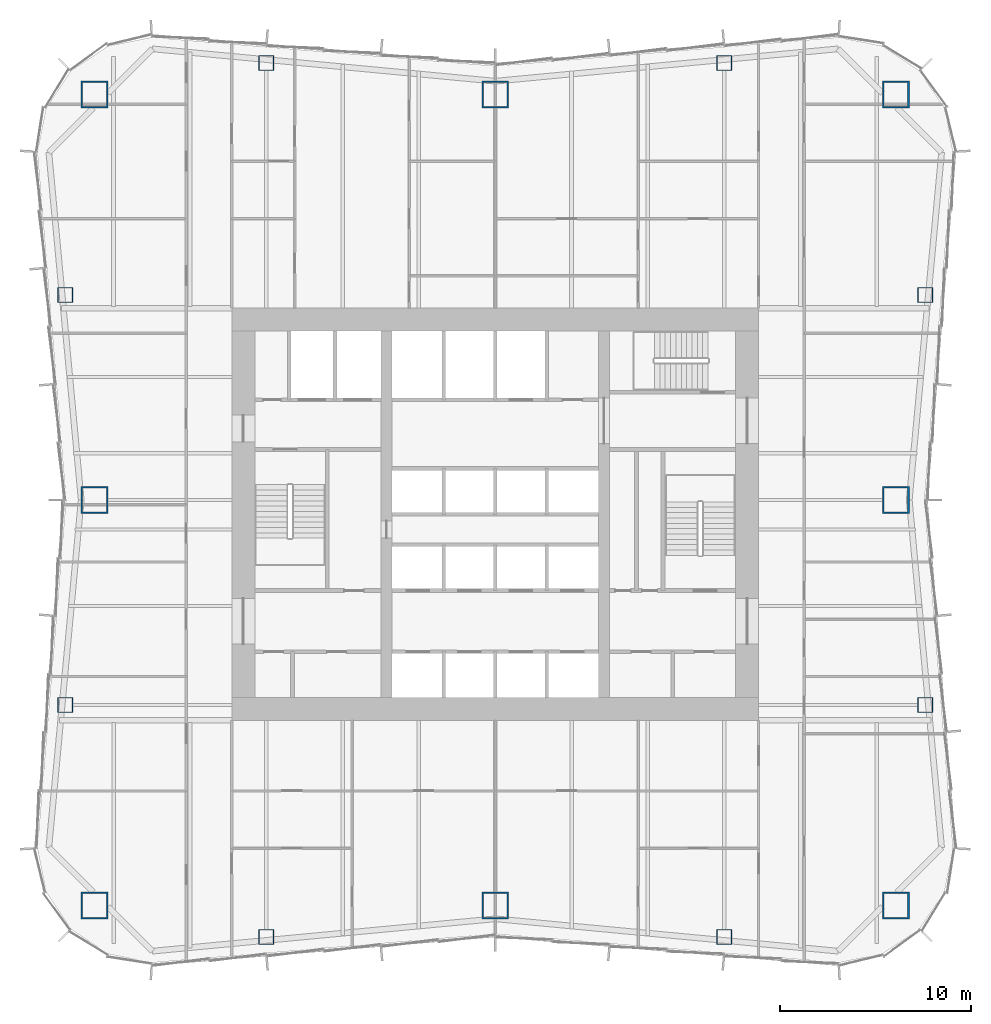
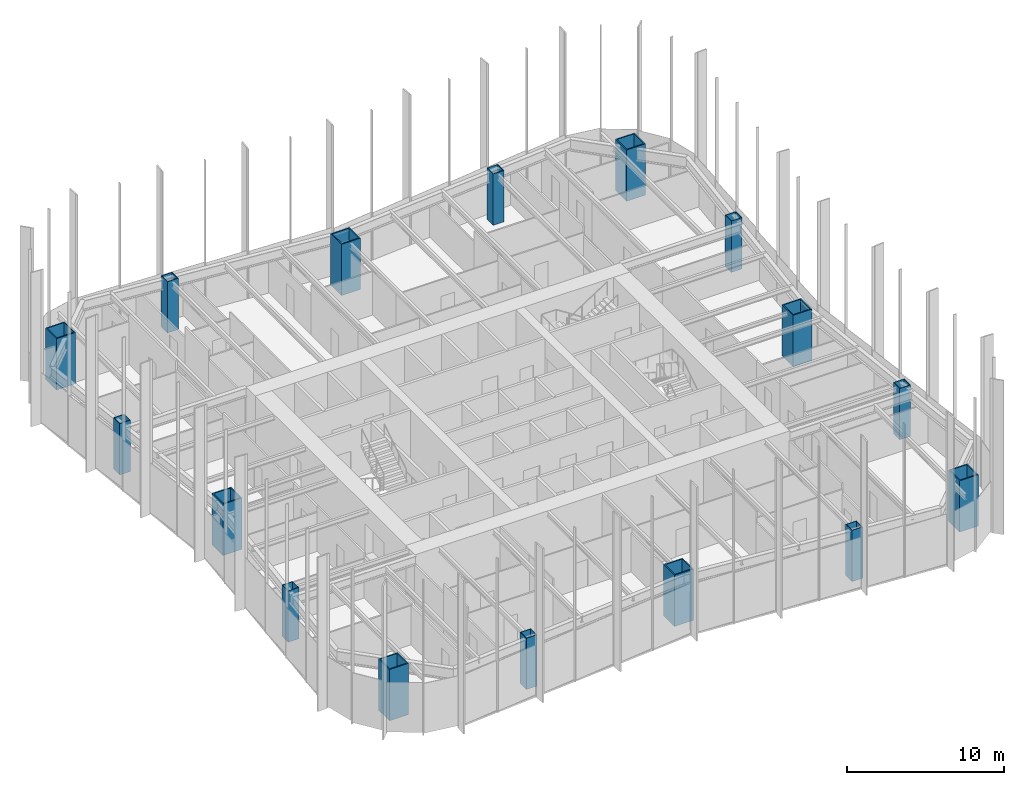
# One storey, part 1 of 13: 16 columns.
"""IFC4 building model written with IfcOpenShell, lengths in metres."""

from ifc_helpers import new_model, si_unit, direction, frame, origin, origin_2d, place, context, subcontext, project, spatial, hollow_rectangle, extrude, material, material_profile, profile_set, type_object, element, save


model = new_model("IFC4")

# Units and contexts
model_context = context("Model", 3, precision=1e-05, world=origin(), true_north=direction((0.0, 1.0)))
body_context = subcontext(model_context, "Body", "Model", "MODEL_VIEW")
ifc_project = project(units=[si_unit("LENGTHUNIT", "METRE"), si_unit("AREAUNIT", "SQUARE_METRE"), si_unit("VOLUMEUNIT", "CUBIC_METRE"), si_unit("PLANEANGLEUNIT", "RADIAN"), si_unit("MASSUNIT", "GRAM", prefix="KILO")], contexts=[model_context])

# Site, building, storey
site_placement = place(None, origin())
site = spatial("IfcSite", under=ifc_project, at=site_placement, CompositionType="ELEMENT")
building_placement = place(site_placement, origin())
building = spatial("IfcBuilding", under=site, at=building_placement, Name="Verdant Reach Tower", CompositionType="ELEMENT")
storey_placement = place(building_placement, frame((0.0, 0.0, 70.0)))
storey = spatial("IfcBuildingStorey", under=building, at=storey_placement, Name="L15", CompositionType="ELEMENT", Elevation=70.0)

# Columns
ifc_material = material(Name="Steel S460", Category="steel")
ifc_material_profile_1 = material_profile(ifc_material, hollow_rectangle(XDim=1.39990234375, YDim=1.39990234375, WallThickness=0.080078125, at=origin_2d()), Name="WB 1400x1400x80")
ifc_profile_set_1 = profile_set([ifc_material_profile_1], Name="Steel S460")
column_type_1 = type_object("IfcColumnType", Name="ST-COL-WB1400x1400x80", PredefinedType="COLUMN", material=ifc_profile_set_1)
for number, where, z_axis, x_axis, name in (
    (1, (-21.0, 50.0, 0.0), (0.0, 0.0, 1.0), (1.0, 0.0, 0.0), "Mega column north-west, L15"),
    (2, (0.0, 50.0, 0.0), (0.0, 0.0, 1.0), (1.0, 0.0, 0.0), "Mega column north, L15"),
    (3, (21.0, 50.0, 0.0), (0.0, 0.0, 1.0), (1.0, 0.0, 0.0), "Mega column north-east, L15"),
    (4, (21.0, 28.75, 0.0), (0.0, 0.0, 1.0), (1.0, 0.0, 0.0), "Mega column east, L15"),
    (5, (21.0, 7.5, 0.0), (0.0, 0.0, 1.0), (1.0, 0.0, 0.0), "Mega column south-east, L15"),
    (6, (0.0, 7.5, 0.0), (0.0, 0.0, 1.0), (1.0, 0.0, 0.0), "Mega column south, L15"),
    (7, (-21.0, 7.5, 0.0), (0.0, 0.0, 1.0), (1.0, 0.0, 0.0), "Mega column south-west, L15"),
    (8, (-21.0, 28.75, 0.0), (0.0, 0.0, 1.0), (1.0, 0.0, 0.0), "Mega column west, L15"),
):
    element("IfcColumn", number, at=place(storey_placement, frame(where, z_axis=z_axis, x_axis=x_axis)), inside=storey, type_object=column_type_1, Name=name, PredefinedType="COLUMN", context=body_context, shape_type="SweptSolid", body=[
        extrude(hollow_rectangle(XDim=1.39990234375, YDim=1.39990234375, WallThickness=0.080078125, at=origin_2d()), origin(), (0.0, 0.0, 1.0), 4.0),
    ])
ifc_material_profile_2 = material_profile(ifc_material, hollow_rectangle(XDim=0.800048828125, YDim=0.800048828125, WallThickness=0.0400390625, at=origin_2d()), Name="WB 800x800x40")
ifc_profile_set_2 = profile_set([ifc_material_profile_2], Name="Steel S460")
column_type_2 = type_object("IfcColumnType", Name="ST-COL-WB800x800x40", PredefinedType="COLUMN", material=ifc_profile_set_2)
for number, where, z_axis, x_axis, name in (
    (9, (-12.0, 51.64990234375, 0.0), (0.0, 0.0, 1.0), (1.0, 0.0, 0.0), "Perimeter column north 1, L15"),
    (10, (12.0, 51.64990234375, 0.0), (0.0, 0.0, 1.0), (1.0, 0.0, 0.0), "Perimeter column north 2, L15"),
    (11, (-12.0, 5.85009765625, 0.0), (0.0, 0.0, 1.0), (1.0, 0.0, 0.0), "Perimeter column south 1, L15"),
    (12, (12.0, 5.85009765625, 0.0), (0.0, 0.0, 1.0), (1.0, 0.0, 0.0), "Perimeter column south 2, L15"),
    (13, (22.53369140625, 18.0, 0.0), (0.0, 0.0, 1.0), (1.0, 0.0, 0.0), "Perimeter column east 1, L15"),
    (14, (22.53369140625, 39.5, 0.0), (0.0, 0.0, 1.0), (1.0, 0.0, 0.0), "Perimeter column east 2, L15"),
    (15, (-22.53369140625, 18.0, 0.0), (0.0, 0.0, 1.0), (1.0, 0.0, 0.0), "Perimeter column west 1, L15"),
    (16, (-22.53369140625, 39.5, 0.0), (0.0, 0.0, 1.0), (1.0, 0.0, 0.0), "Perimeter column west 2, L15"),
):
    element("IfcColumn", number, at=place(storey_placement, frame(where, z_axis=z_axis, x_axis=x_axis)), inside=storey, type_object=column_type_2, Name=name, PredefinedType="COLUMN", context=body_context, shape_type="SweptSolid", body=[
        extrude(hollow_rectangle(XDim=0.800048828125, YDim=0.800048828125, WallThickness=0.0400390625, at=origin_2d()), origin(), (0.0, 0.0, 1.0), 4.0),
    ])

save(model, "model.ifc")
